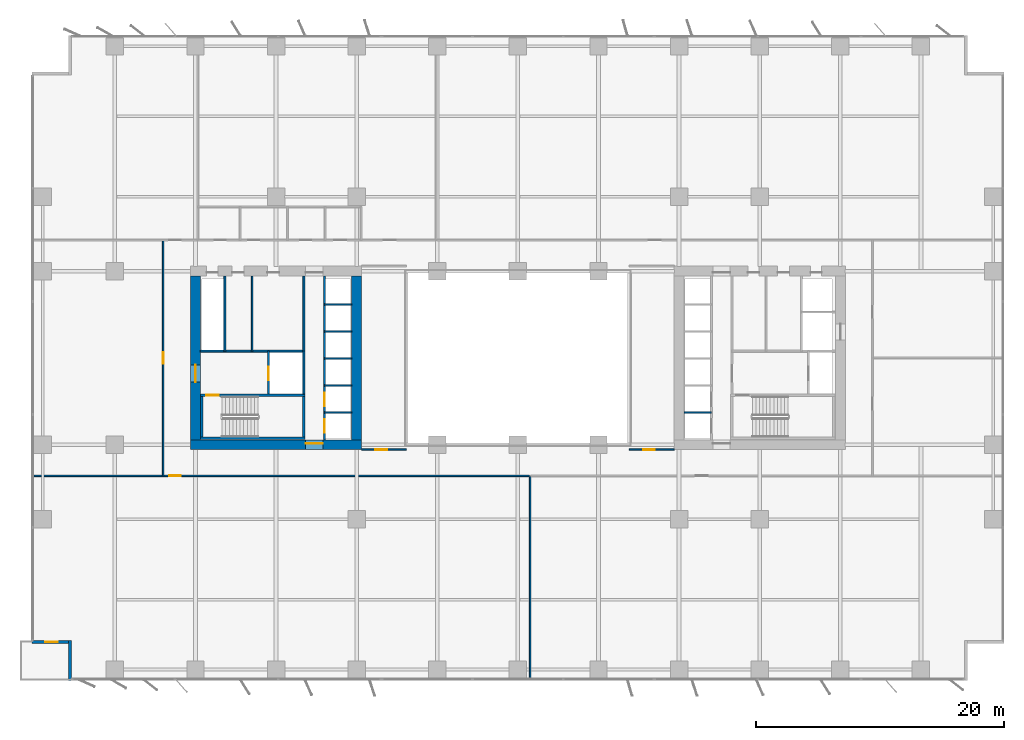
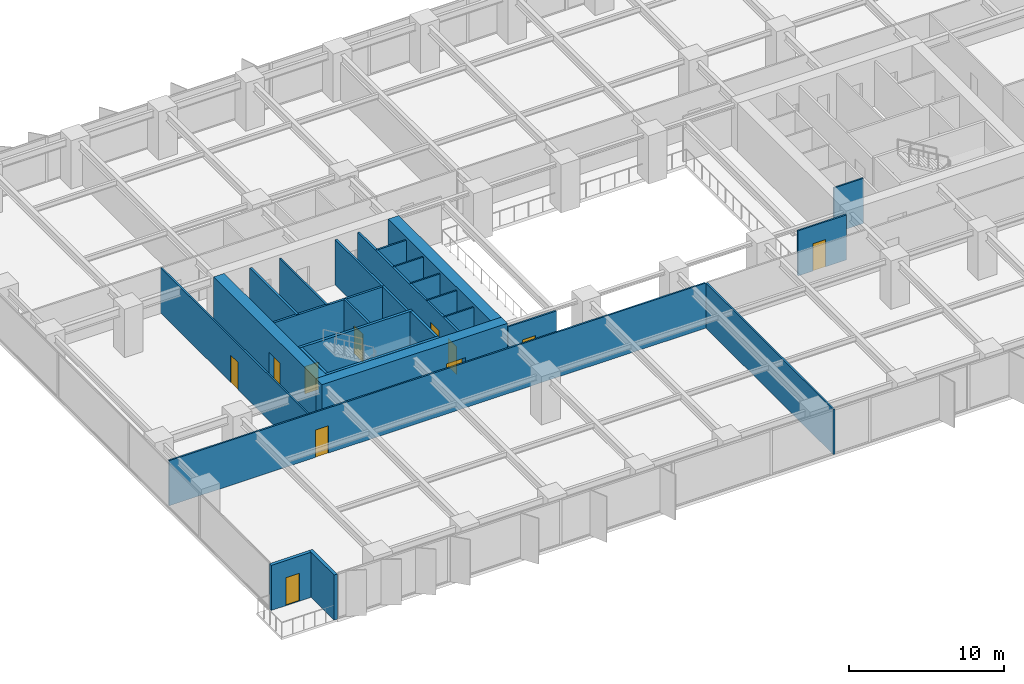
# One storey, part 13 of 20: 27 walls, 11 doors, 11 openings.
"""IFC4 building model written with IfcOpenShell, lengths in metres."""

from ifc_helpers import new_model, si_unit, direction, frame, frame_2d, origin, place, context, subcontext, project, spatial, rectangle, extrude, material, layer, layer_set, type_object, element, fill, save


model = new_model("IFC4")

# Units and contexts
model_context = context("Model", 3, precision=1e-05, world=origin(), true_north=direction((0.0, 1.0)))
body_context = subcontext(model_context, "Body", "Model", "MODEL_VIEW")
ifc_project = project(units=[si_unit("LENGTHUNIT", "METRE"), si_unit("AREAUNIT", "SQUARE_METRE"), si_unit("VOLUMEUNIT", "CUBIC_METRE"), si_unit("PLANEANGLEUNIT", "RADIAN"), si_unit("MASSUNIT", "GRAM", prefix="KILO")], contexts=[model_context])

# Site, building, storey
site_placement = place(None, origin())
site = spatial("IfcSite", under=ifc_project, at=site_placement, CompositionType="ELEMENT")
building_placement = place(site_placement, origin())
building = spatial("IfcBuilding", under=site, at=building_placement, Name="Putna Gate Headquarters", CompositionType="ELEMENT")
storey_placement = place(building_placement, frame((0.0, 0.0, 31.60009765625)))
storey = spatial("IfcBuildingStorey", under=building, at=storey_placement, Name="L06", CompositionType="ELEMENT", Elevation=31.60009765625)

# Wall, opening, door
ifc_material_1 = material(Name="Concrete C60/75", Category="concrete")
ifc_layer_1 = layer(ifc_material_1, 0.800048828125)
ifc_layer_set_1 = layer_set([ifc_layer_1], Name="Concrete C60/75")
wall_type_1 = type_object("IfcWallType", Name="WALL-CORE-800", PredefinedType="SHEAR", material=ifc_layer_set_1)
wall_1_placement = place(storey_placement, frame((12.60009765625, 19.0, 0.0), z_axis=(0.0, 0.0, 1.0), x_axis=(1.0, 0.0, 0.0)))
wall_1 = element("IfcWall", 1, at=wall_1_placement, inside=storey, type_object=wall_type_1, Name="L06 WC Split Core Shear Wall S", PredefinedType="SHEAR", context=body_context, shape_type="SweptSolid", body=[
    extrude(rectangle(XDim=13.7998046875, YDim=0.800048828125, at=frame_2d((6.89990234375, 0.0))), origin(), (0.0, 0.0, 1.0), 3.7998046875),
])
opening_1_placement = place(wall_1_placement, frame((9.280029296875, 0.0, 0.0)))
opening_1 = element("IfcOpeningElement", 2, at=opening_1_placement, cuts=wall_1, Name="Opening FDD-140", PredefinedType="OPENING", context=body_context, shape_type="SweptSolid", body=[
    extrude(rectangle(XDim=1.39990234375, YDim=2.199951171875, at=frame_2d((0.699951171875, 1.10009765625))), frame((0.0, 0.409912109375, 0.0), z_axis=(0.0, -1.0, 0.0), x_axis=(1.0, 0.0, 0.0)), (0.0, 0.0, 1.0), 0.820068359375),
])
ifc_material_2 = material(Name="Double steel fire door", Category="steel")
door_type_1 = type_object("IfcDoorType", Name="DOOR-FIRE-DBL-1400", OperationType="DOUBLE_DOOR_SINGLE_SWING", PredefinedType="DOOR", material=ifc_material_2)
door_1_placement = place(opening_1_placement, origin())
door_1 = element("IfcDoor", 3, at=door_1_placement, inside=storey, type_object=door_type_1, Name="L06 West Lift Lobby South Door", OperationType="DOUBLE_DOOR_SINGLE_SWING", OverallHeight=2.199951171875, OverallWidth=1.39990234375, PredefinedType="DOOR", context=body_context, shape_type="SweptSolid", body=[
    extrude(rectangle(XDim=1.39990234375, YDim=2.199951171875, at=frame_2d((0.699951171875, 1.10009765625))), frame((0.0, 0.125, 0.0), z_axis=(0.0, -1.0, 0.0), x_axis=(1.0, 0.0, 0.0)), (0.0, 0.0, 1.0), 0.050048828125),
])
fill(opening_1, door_1)

wall_2_placement = place(storey_placement, frame((13.0, 19.39990234375, 0.0), z_axis=(0.0, 0.0, 1.0), x_axis=(0.0, 1.0, 0.0)))
wall_2 = element("IfcWall", 4, at=wall_2_placement, inside=storey, type_object=wall_type_1, Name="L06 WC Split Core Shear Wall W", PredefinedType="SHEAR", context=body_context, shape_type="SweptSolid", body=[
    extrude(rectangle(XDim=13.2001953125, YDim=0.800048828125, at=frame_2d((6.60009765625, 0.0))), origin(), (0.0, 0.0, 1.0), 3.7998046875),
])
opening_2_placement = place(wall_2_placement, frame((4.64990234375, 0.0, 0.0)))
opening_2 = element("IfcOpeningElement", 5, at=opening_2_placement, cuts=wall_2, Name="Opening FDD-140", PredefinedType="OPENING", context=body_context, shape_type="SweptSolid", body=[
    extrude(rectangle(XDim=1.39990234375, YDim=2.199951171875, at=frame_2d((0.699951171875, 1.10009765625))), frame((0.0, 0.409912109375, 0.0), z_axis=(0.0, -1.0, 0.0), x_axis=(1.0, 0.0, 0.0)), (0.0, 0.0, 1.0), 0.820068359375),
])
door_2_placement = place(opening_2_placement, origin())
door_2 = element("IfcDoor", 6, at=door_2_placement, inside=storey, type_object=door_type_1, Name="L06 West Firefighting Lobby Door", OperationType="DOUBLE_DOOR_SINGLE_SWING", OverallHeight=2.199951171875, OverallWidth=1.39990234375, PredefinedType="DOOR", context=body_context, shape_type="SweptSolid", body=[
    extrude(rectangle(XDim=1.39990234375, YDim=2.199951171875, at=frame_2d((0.699951171875, 1.10009765625))), frame((0.0, 0.02490234375, 0.0), z_axis=(0.0, -1.0, 0.0), x_axis=(1.0, 0.0, 0.0)), (0.0, 0.0, 1.0), 0.050048828125),
])
fill(opening_2, door_2)

# Walls
wall_3_placement = place(storey_placement, frame((26.0, 19.39990234375, 0.0), z_axis=(0.0, 0.0, 1.0), x_axis=(0.0, 1.0, 0.0)))
element("IfcWall", 7, at=wall_3_placement, inside=storey, type_object=wall_type_1, Name="L06 WC Split Core Shear Wall E", PredefinedType="SHEAR", context=body_context, shape_type="SweptSolid", body=[
    extrude(rectangle(XDim=13.2001953125, YDim=0.800048828125, at=frame_2d((6.60009765625, 0.0))), origin(), (0.0, 0.0, 1.0), 3.7998046875),
])
ifc_material_3 = material(Name="Precast concrete C40/50", Category="concrete")
ifc_layer_2 = layer(ifc_material_3, 0.239990234375)
ifc_layer_set_2 = layer_set([ifc_layer_2], Name="Precast concrete C40/50")
wall_type_2 = type_object("IfcWallType", Name="WALL-EXT-TERR-240", PredefinedType="STANDARD", material=ifc_layer_set_2)
wall_4_placement = place(storey_placement, frame((2.8798828125, 0.0, 0.0), z_axis=(0.0, 0.0, 1.0), x_axis=(0.0, 1.0, 0.0)))
element("IfcWall", 8, at=wall_4_placement, inside=storey, type_object=wall_type_2, Name="L06 Corner Notch Return Wall SW-V", PredefinedType="STANDARD", context=body_context, shape_type="SweptSolid", body=[
    extrude(rectangle(XDim=3.199951171875, YDim=0.239990234375, at=frame_2d((1.60009765625, 0.0))), origin(), (0.0, 0.0, 1.0), 3.5498046875),
])

# Wall, opening, door
wall_5_placement = place(storey_placement, frame((3.0, 3.080078125, 0.0), z_axis=(0.0, 0.0, 1.0), x_axis=(-1.0, 0.0, 0.0)))
wall_5 = element("IfcWall", 9, at=wall_5_placement, inside=storey, type_object=wall_type_2, Name="L06 Corner Notch Return Wall SW-H", PredefinedType="STANDARD", context=body_context, shape_type="SweptSolid", body=[
    extrude(rectangle(XDim=3.199951171875, YDim=0.239990234375, at=frame_2d((1.60009765625, 0.0))), origin(), (0.0, 0.0, 1.0), 3.5498046875),
])
opening_3_placement = place(wall_5_placement, frame((1.10009765625, 0.0, 0.0)))
opening_3 = element("IfcOpeningElement", 10, at=opening_3_placement, cuts=wall_5, Name="Opening TRD-1", PredefinedType="OPENING", context=body_context, shape_type="SweptSolid", body=[
    extrude(rectangle(XDim=1.0, YDim=2.199951171875, at=frame_2d((0.5, 1.10009765625))), frame((0.0, 0.1298828125, 0.0), z_axis=(0.0, -1.0, 0.0), x_axis=(1.0, 0.0, 0.0)), (0.0, 0.0, 1.0), 0.260009765625),
])
ifc_material_4 = material(Name="Thermally broken bronze glazed terrace door")
door_type_2 = type_object("IfcDoorType", Name="DOOR-TERR-EXT-1000", OperationType="NOTDEFINED", PredefinedType="DOOR", material=ifc_material_4)
door_3_placement = place(opening_3_placement, origin())
door_3 = element("IfcDoor", 11, at=door_3_placement, inside=storey, type_object=door_type_2, Name="L06 Spiral Sky Terrace Door SW", OperationType="SINGLE_SWING_LEFT", OverallHeight=2.199951171875, OverallWidth=1.0, PredefinedType="DOOR", context=body_context, shape_type="SweptSolid", body=[
    extrude(rectangle(XDim=1.0, YDim=2.199951171875, at=frame_2d((0.5, 1.10009765625))), frame((0.0, 0.02490234375, 0.0), z_axis=(0.0, -1.0, 0.0), x_axis=(1.0, 0.0, 0.0)), (0.0, 0.0, 1.0), 0.050048828125),
])
fill(opening_3, door_3)

ifc_material_5 = material(Name="Acoustic gypsum board on metal stud")
ifc_layer_3 = layer(ifc_material_5, 0.1201171875)
ifc_layer_set_3 = layer_set([ifc_layer_3], Name="Acoustic gypsum board on metal stud")
wall_type_3 = type_object("IfcWallType", Name="WALL-PART-120", PredefinedType="PARTITIONING", material=ifc_layer_set_3)
wall_6_placement = place(storey_placement, frame((26.39990234375, 18.60009765625, 0.0), z_axis=(0.0, 0.0, 1.0), x_axis=(1.0, 0.0, 0.0)))
wall_6 = element("IfcWall", 12, at=wall_6_placement, inside=storey, type_object=wall_type_3, Name="L06 Interior Wall PART-L06-ATR-W-S", PredefinedType="PARTITIONING", context=body_context, shape_type="SweptSolid", body=[
    extrude(rectangle(XDim=3.60009765625, YDim=0.1201171875, at=frame_2d((1.800048828125, 0.0))), origin(), (0.0, 0.0, 1.0), 3.5498046875),
])
opening_4_placement = place(wall_6_placement, frame((1.10009765625, 0.0, 0.0)))
opening_4 = element("IfcOpeningElement", 13, at=opening_4_placement, cuts=wall_6, Name="Opening ID-95", PredefinedType="OPENING", context=body_context, shape_type="SweptSolid", body=[
    extrude(rectangle(XDim=0.949951171875, YDim=2.14990234375, at=frame_2d((0.47509765625, 1.074951171875))), frame((0.0, 0.070068359375, 0.0), z_axis=(0.0, -1.0, 0.0), x_axis=(1.0, 0.0, 0.0)), (0.0, 0.0, 1.0), 0.14013671875),
])
ifc_material_6 = material(Name="Veneered acoustic timber door", Category="wood")
door_type_3 = type_object("IfcDoorType", Name="DOOR-OFF-950", OperationType="NOTDEFINED", PredefinedType="DOOR", material=ifc_material_6)
door_4_placement = place(opening_4_placement, origin())
door_4 = element("IfcDoor", 14, at=door_4_placement, inside=storey, type_object=door_type_3, Name="L06 West Atrium Gallery Lounge Door", OperationType="SINGLE_SWING_LEFT", OverallHeight=2.14990234375, OverallWidth=0.949951171875, PredefinedType="DOOR", context=body_context, shape_type="SweptSolid", body=[
    extrude(rectangle(XDim=0.949951171875, YDim=2.14990234375, at=frame_2d((0.47509765625, 1.074951171875))), frame((0.0, 0.02490234375, 0.0), z_axis=(0.0, -1.0, 0.0), x_axis=(1.0, 0.0, 0.0)), (0.0, 0.0, 1.0), 0.050048828125),
])
fill(opening_4, door_4)

wall_7_placement = place(storey_placement, frame((48.0, 18.60009765625, 0.0), z_axis=(0.0, 0.0, 1.0), x_axis=(1.0, 0.0, 0.0)))
wall_7 = element("IfcWall", 15, at=wall_7_placement, inside=storey, type_object=wall_type_3, Name="L06 Interior Wall PART-L06-ATR-E-S", PredefinedType="PARTITIONING", context=body_context, shape_type="SweptSolid", body=[
    extrude(rectangle(XDim=3.60009765625, YDim=0.1201171875, at=frame_2d((1.800048828125, 0.0))), origin(), (0.0, 0.0, 1.0), 3.5498046875),
])
opening_5_placement = place(wall_7_placement, frame((1.10009765625, 0.0, 0.0)))
opening_5 = element("IfcOpeningElement", 16, at=opening_5_placement, cuts=wall_7, Name="Opening ID-95", PredefinedType="OPENING", context=body_context, shape_type="SweptSolid", body=[
    extrude(rectangle(XDim=0.949951171875, YDim=2.14990234375, at=frame_2d((0.47509765625, 1.074951171875))), frame((0.0, 0.070068359375, 0.0), z_axis=(0.0, -1.0, 0.0), x_axis=(1.0, 0.0, 0.0)), (0.0, 0.0, 1.0), 0.14013671875),
])
door_5_placement = place(opening_5_placement, origin())
door_5 = element("IfcDoor", 17, at=door_5_placement, inside=storey, type_object=door_type_3, Name="L06 East Atrium Gallery Lounge Door", OperationType="SINGLE_SWING_RIGHT", OverallHeight=2.14990234375, OverallWidth=0.949951171875, PredefinedType="DOOR", context=body_context, shape_type="SweptSolid", body=[
    extrude(rectangle(XDim=0.949951171875, YDim=2.14990234375, at=frame_2d((0.47509765625, 1.074951171875))), frame((0.0, 0.02490234375, 0.0), z_axis=(0.0, -1.0, 0.0), x_axis=(1.0, 0.0, 0.0)), (0.0, 0.0, 1.0), 0.050048828125),
])
fill(opening_5, door_5)

# Walls
wall_8_placement = place(storey_placement, frame((39.9833984375, 0.02001953125, 0.0), z_axis=(0.0, 0.0, 1.0), x_axis=(0.0, 1.0, 0.0)))
element("IfcWall", 18, at=wall_8_placement, inside=storey, type_object=wall_type_3, Name="L06 Interior Wall PART-L06-SB-DIV-01", PredefinedType="PARTITIONING", context=body_context, shape_type="SweptSolid", body=[
    extrude(rectangle(XDim=16.419921875, YDim=0.1201171875, at=frame_2d((8.2099609375, 0.0))), origin(), (0.0, 0.0, 1.0), 3.5498046875),
])
ifc_material_7 = material(Name="Fire-rated shaftwall gypsum board on metal stud")
ifc_layer_4 = layer(ifc_material_7, 0.1201171875)
ifc_layer_set_4 = layer_set([ifc_layer_4], Name="Fire-rated shaftwall gypsum board on metal stud")
wall_type_4 = type_object("IfcWallType", Name="WALL-PART-120-EI120", PredefinedType="PARTITIONING", material=ifc_layer_set_4)
for number, where, z_axis, x_axis, name in (
    (19, (23.39990234375, 21.610107421875, 0.0), (0.0, 0.0, 1.0), (1.0, 0.0, 0.0), "L06 Interior Wall CWINT-L06-WC-LF01-DIV"),
    (20, (23.39990234375, 23.780029296875, 0.0), (0.0, 0.0, 1.0), (1.0, 0.0, 0.0), "L06 Interior Wall CWINT-L06-WC-LF02-DIV"),
    (21, (23.39990234375, 25.949951171875, 0.0), (0.0, 0.0, 1.0), (1.0, 0.0, 0.0), "L06 Interior Wall CWINT-L06-WC-LF05-DIV"),
    (22, (23.39990234375, 28.1201171875, 0.0), (0.0, 0.0, 1.0), (1.0, 0.0, 0.0), "L06 Interior Wall CWINT-L06-WC-LF06-DIV"),
    (23, (23.39990234375, 30.31005859375, 0.0), (0.0, 0.0, 1.0), (1.0, 0.0, 0.0), "L06 Interior Wall CWINT-L06-WC-LF09-DIV"),
    (24, (52.39990234375, 21.610107421875, 0.0), (0.0, 0.0, 1.0), (1.0, 0.0, 0.0), "L06 Interior Wall CWINT-L06-EC-LF03-DIV"),
):
    element("IfcWall", number, at=place(storey_placement, frame(where, z_axis=z_axis, x_axis=x_axis)), inside=storey, type_object=wall_type_4, Name=name, PredefinedType="PARTITIONING", context=body_context, shape_type="SweptSolid", body=[
        extrude(rectangle(XDim=2.2001953125, YDim=0.1201171875, at=frame_2d((1.10009765625, 0.0))), origin(), (0.0, 0.0, 1.0), 3.5498046875),
    ])
ifc_material_8 = material(Name="Fire-rated gypsum board on metal stud")
ifc_layer_5 = layer(ifc_material_8, 0.1201171875)
ifc_layer_set_5 = layer_set([ifc_layer_5], Name="Fire-rated gypsum board on metal stud")
wall_type_5 = type_object("IfcWallType", Name="WALL-PART-120-RATED", PredefinedType="PARTITIONING", material=ifc_layer_set_5)
wall_9_placement = place(storey_placement, frame((17.570068359375, 26.56005859375, 0.0), z_axis=(0.0, 0.0, 1.0), x_axis=(0.0, 1.0, 0.0)))
element("IfcWall", 25, at=wall_9_placement, inside=storey, type_object=wall_type_5, Name="L06 Interior Wall CWINT-L06-WC-K1-DIV", PredefinedType="PARTITIONING", context=body_context, shape_type="SweptSolid", body=[
    extrude(rectangle(XDim=6.0400390625, YDim=0.1201171875, at=frame_2d((3.02001953125, 0.0))), origin(), (0.0, 0.0, 1.0), 3.5498046875),
])

# Wall, opening, door
wall_10_placement = place(storey_placement, frame((-0.02001953125, 16.5, 0.0), z_axis=(0.0, 0.0, 1.0), x_axis=(1.0, 0.0, 0.0)))
wall_10 = element("IfcWall", 26, at=wall_10_placement, inside=storey, type_object=wall_type_5, Name="L06 Interior Wall PART-L06-SB-CW-01", PredefinedType="PARTITIONING", context=body_context, shape_type="SweptSolid", body=[
    extrude(rectangle(XDim=39.943359375, YDim=0.1201171875, at=frame_2d((19.9716796875, 0.0))), origin(), (0.0, 0.0, 1.0), 3.5498046875),
])
opening_6_placement = place(wall_10_placement, frame((10.89990234375, 0.0, 0.0)))
opening_6 = element("IfcOpeningElement", 27, at=opening_6_placement, cuts=wall_10, Name="Opening FD-95", PredefinedType="OPENING", context=body_context, shape_type="SweptSolid", body=[
    extrude(rectangle(XDim=0.949951171875, YDim=2.14990234375, at=frame_2d((0.47509765625, 1.074951171875))), frame((0.0, 0.070068359375, 0.0), z_axis=(0.0, -1.0, 0.0), x_axis=(1.0, 0.0, 0.0)), (0.0, 0.0, 1.0), 0.14013671875),
])
ifc_material_9 = material(Name="Acoustic timber fire door", Category="wood")
door_type_4 = type_object("IfcDoorType", Name="DOOR-FIRE-950", OperationType="NOTDEFINED", PredefinedType="DOOR", material=ifc_material_9)
door_6_placement = place(opening_6_placement, origin())
door_6 = element("IfcDoor", 28, at=door_6_placement, inside=storey, type_object=door_type_4, Name="L06 Quiet Wellness Focus Studio 1 Door", OperationType="SINGLE_SWING_RIGHT", OverallHeight=2.14990234375, OverallWidth=0.949951171875, PredefinedType="DOOR", context=body_context, shape_type="SweptSolid", body=[
    extrude(rectangle(XDim=0.949951171875, YDim=2.14990234375, at=frame_2d((0.47509765625, 1.074951171875))), frame((0.0, 0.02490234375, 0.0), z_axis=(0.0, -1.0, 0.0), x_axis=(1.0, 0.0, 0.0)), (0.0, 0.0, 1.0), 0.050048828125),
])
fill(opening_6, door_6)

wall_11_placement = place(storey_placement, frame((10.39990234375, 16.5, 0.0), z_axis=(0.0, 0.0, 1.0), x_axis=(0.0, 1.0, 0.0)))
wall_11 = element("IfcWall", 29, at=wall_11_placement, inside=storey, type_object=wall_type_5, Name="L06 Interior Wall PART-L06-WW-CW-1", PredefinedType="PARTITIONING", context=body_context, shape_type="SweptSolid", body=[
    extrude(rectangle(XDim=19.0, YDim=0.1201171875, at=frame_2d((9.5, 0.0))), origin(), (0.0, 0.0, 1.0), 3.5498046875),
])
opening_7_placement = place(wall_11_placement, frame((9.02490234375, 0.0, 0.0)))
opening_7 = element("IfcOpeningElement", 30, at=opening_7_placement, cuts=wall_11, Name="Opening FD-95", PredefinedType="OPENING", context=body_context, shape_type="SweptSolid", body=[
    extrude(rectangle(XDim=0.949951171875, YDim=2.14990234375, at=frame_2d((0.47509765625, 1.074951171875))), frame((0.0, 0.070068359375, 0.0), z_axis=(0.0, -1.0, 0.0), x_axis=(1.0, 0.0, 0.0)), (0.0, 0.0, 1.0), 0.14013671875),
])
door_7_placement = place(opening_7_placement, origin())
door_7 = element("IfcDoor", 31, at=door_7_placement, inside=storey, type_object=door_type_4, Name="L06 West Project Meeting Room 1 Door", OperationType="SINGLE_SWING_RIGHT", OverallHeight=2.14990234375, OverallWidth=0.949951171875, PredefinedType="DOOR", context=body_context, shape_type="SweptSolid", body=[
    extrude(rectangle(XDim=0.949951171875, YDim=2.14990234375, at=frame_2d((0.47509765625, 1.074951171875))), frame((0.0, 0.02490234375, 0.0), z_axis=(0.0, -1.0, 0.0), x_axis=(1.0, 0.0, 0.0)), (0.0, 0.0, 1.0), 0.050048828125),
])
fill(opening_7, door_7)

# Wall
ifc_material_10 = material(Name="Concrete C40/50", Category="concrete")
ifc_layer_6 = layer(ifc_material_10, 0.159912109375)
ifc_layer_set_6 = layer_set([ifc_layer_6], Name="Concrete C40/50")
wall_type_6 = type_object("IfcWallType", Name="WALL-SHAFT-160", PredefinedType="STANDARD", material=ifc_layer_set_6)
wall_12_placement = place(storey_placement, frame((21.739990234375, 23.090087890625, 0.0), z_axis=(0.0, 0.0, 1.0), x_axis=(0.0, 1.0, 0.0)))
element("IfcWall", 32, at=wall_12_placement, inside=storey, type_object=wall_type_6, Name="L06 Interior Wall CWINT-L06-WC-FFL-E", PredefinedType="STANDARD", context=body_context, shape_type="SweptSolid", body=[
    extrude(rectangle(XDim=3.469970703125, YDim=0.159912109375, at=frame_2d((1.73486328125, 0.0))), origin(), (0.0, 0.0, 1.0), 3.5498046875),
])

# Wall, opening, door
wall_13_placement = place(storey_placement, frame((18.8798828125, 23.090087890625, 0.0), z_axis=(0.0, 0.0, 1.0), x_axis=(0.0, 1.0, 0.0)))
wall_13 = element("IfcWall", 33, at=wall_13_placement, inside=storey, type_object=wall_type_6, Name="L06 Interior Wall CWINT-L06-WC-LF13-W", PredefinedType="STANDARD", context=body_context, shape_type="SweptSolid", body=[
    extrude(rectangle(XDim=3.469970703125, YDim=0.159912109375, at=frame_2d((1.73486328125, 0.0))), origin(), (0.0, 0.0, 1.0), 3.5498046875),
])
opening_8_placement = place(wall_13_placement, frame((1.10009765625, 0.0, 0.0)))
opening_8 = element("IfcOpeningElement", 34, at=opening_8_placement, cuts=wall_13, Name="Opening LD-1", PredefinedType="OPENING", context=body_context, shape_type="SweptSolid", body=[
    extrude(rectangle(XDim=1.10009765625, YDim=2.199951171875, at=frame_2d((0.550048828125, 1.10009765625))), frame((0.0, 0.08984375, 0.0), z_axis=(0.0, -1.0, 0.0), x_axis=(1.0, 0.0, 0.0)), (0.0, 0.0, 1.0), 0.179931640625),
])
ifc_material_11 = material(Name="Brushed bronze stainless lift landing door")
door_type_5 = type_object("IfcDoorType", Name="DOOR-LIFT-1100", OperationType="DOUBLE_DOOR_SLIDING", PredefinedType="DOOR", material=ifc_material_11)
door_8_placement = place(opening_8_placement, origin())
door_8 = element("IfcDoor", 35, at=door_8_placement, inside=storey, type_object=door_type_5, Name="L06 Lift Landing Door LD-13", OperationType="DOUBLE_DOOR_SLIDING", OverallHeight=2.199951171875, OverallWidth=1.10009765625, PredefinedType="DOOR", context=body_context, shape_type="SweptSolid", body=[
    extrude(rectangle(XDim=1.10009765625, YDim=2.199951171875, at=frame_2d((0.550048828125, 1.10009765625))), frame((0.0, 0.02490234375, 0.0), z_axis=(0.0, -1.0, 0.0), x_axis=(1.0, 0.0, 0.0)), (0.0, 0.0, 1.0), 0.050048828125),
])
fill(opening_8, door_8)

# Walls
wall_14_placement = place(storey_placement, frame((13.39990234375, 26.56005859375, 0.0), z_axis=(0.0, 0.0, 1.0), x_axis=(1.0, 0.0, 0.0)))
element("IfcWall", 36, at=wall_14_placement, inside=storey, type_object=wall_type_6, Name="L06 Interior Wall CWINT-L06-WC-FFL-N", PredefinedType="STANDARD", context=body_context, shape_type="SweptSolid", body=[
    extrude(rectangle(XDim=8.340087890625, YDim=0.159912109375, at=frame_2d((4.169921875, 0.0))), origin(), (0.0, 0.0, 1.0), 3.5498046875),
])
for number, where, z_axis, x_axis, name in (
    (37, (15.3798828125, 26.56005859375, 0.0), (0.0, 0.0, 1.0), (0.0, 1.0, 0.0), "L06 Interior Wall CWINT-L06-WC-RISER-E"),
    (38, (21.739990234375, 26.56005859375, 0.0), (0.0, 0.0, 1.0), (0.0, 1.0, 0.0), "L06 Interior Wall CWINT-L06-WC-LOB-W"),
):
    element("IfcWall", number, at=place(storey_placement, frame(where, z_axis=z_axis, x_axis=x_axis)), inside=storey, type_object=wall_type_6, Name=name, PredefinedType="STANDARD", context=body_context, shape_type="SweptSolid", body=[
        extrude(rectangle(XDim=6.0400390625, YDim=0.159912109375, at=frame_2d((3.02001953125, 0.0))), origin(), (0.0, 0.0, 1.0), 3.5498046875),
    ])

# Wall, openings, doors
wall_15_placement = place(storey_placement, frame((23.39990234375, 19.39990234375, 0.0), z_axis=(0.0, 0.0, 1.0), x_axis=(0.0, 1.0, 0.0)))
wall_15 = element("IfcWall", 39, at=wall_15_placement, inside=storey, type_object=wall_type_6, Name="L06 Interior Wall CWINT-L06-WC-PL-WALL", PredefinedType="STANDARD", context=body_context, shape_type="SweptSolid", body=[
    extrude(rectangle(XDim=13.2001953125, YDim=0.159912109375, at=frame_2d((6.60009765625, 0.0))), origin(), (0.0, 0.0, 1.0), 3.5498046875),
])
opening_9_placement = place(wall_15_placement, frame((0.550048828125, 0.0, 0.0)))
opening_9 = element("IfcOpeningElement", 40, at=opening_9_placement, cuts=wall_15, Name="Opening LD-1", PredefinedType="OPENING", context=body_context, shape_type="SweptSolid", body=[
    extrude(rectangle(XDim=1.10009765625, YDim=2.199951171875, at=frame_2d((0.550048828125, 1.10009765625))), frame((0.0, 0.08984375, 0.0), z_axis=(0.0, -1.0, 0.0), x_axis=(1.0, 0.0, 0.0)), (0.0, 0.0, 1.0), 0.179931640625),
])
opening_10_placement = place(wall_15_placement, frame((2.699951171875, 0.0, 0.0)))
opening_10 = element("IfcOpeningElement", 41, at=opening_10_placement, cuts=wall_15, Name="Opening LD-1", PredefinedType="OPENING", context=body_context, shape_type="SweptSolid", body=[
    extrude(rectangle(XDim=1.10009765625, YDim=2.199951171875, at=frame_2d((0.550048828125, 1.10009765625))), frame((0.0, 0.08984375, 0.0), z_axis=(0.0, -1.0, 0.0), x_axis=(1.0, 0.0, 0.0)), (0.0, 0.0, 1.0), 0.179931640625),
])
door_9_placement = place(opening_9_placement, origin())
door_9 = element("IfcDoor", 42, at=door_9_placement, inside=storey, type_object=door_type_5, Name="L06 Lift Landing Door LD-01", OperationType="DOUBLE_DOOR_SLIDING", OverallHeight=2.199951171875, OverallWidth=1.10009765625, PredefinedType="DOOR", context=body_context, shape_type="SweptSolid", body=[
    extrude(rectangle(XDim=1.10009765625, YDim=2.199951171875, at=frame_2d((0.550048828125, 1.10009765625))), frame((0.0, 0.02490234375, 0.0), z_axis=(0.0, -1.0, 0.0), x_axis=(1.0, 0.0, 0.0)), (0.0, 0.0, 1.0), 0.050048828125),
])
fill(opening_9, door_9)
door_10_placement = place(opening_10_placement, origin())
door_10 = element("IfcDoor", 43, at=door_10_placement, inside=storey, type_object=door_type_5, Name="L06 Lift Landing Door LD-02", OperationType="DOUBLE_DOOR_SLIDING", OverallHeight=2.199951171875, OverallWidth=1.10009765625, PredefinedType="DOOR", context=body_context, shape_type="SweptSolid", body=[
    extrude(rectangle(XDim=1.10009765625, YDim=2.199951171875, at=frame_2d((0.550048828125, 1.10009765625))), frame((0.0, 0.02490234375, 0.0), z_axis=(0.0, -1.0, 0.0), x_axis=(1.0, 0.0, 0.0)), (0.0, 0.0, 1.0), 0.050048828125),
])
fill(opening_10, door_10)

# Wall
ifc_layer_7 = layer(ifc_material_10, 0.199951171875)
ifc_layer_set_7 = layer_set([ifc_layer_7], Name="Concrete C40/50")
wall_type_7 = type_object("IfcWallType", Name="WALL-SHAFT-RC200", PredefinedType="SHEAR", material=ifc_layer_set_7)
wall_16_placement = place(storey_placement, frame((13.409912109375, 19.510009765625, 0.0), z_axis=(0.0, 0.0, 1.0), x_axis=(1.0, 0.0, 0.0)))
element("IfcWall", 44, at=wall_16_placement, inside=storey, type_object=wall_type_7, Name="L06 Stair ST1 Structural Shaft Wall S", PredefinedType="SHEAR", context=body_context, shape_type="SweptSolid", body=[
    extrude(rectangle(XDim=8.43017578125, YDim=0.199951171875, at=frame_2d((4.215087890625, 0.0))), origin(), (0.0, 0.0, 1.0), 3.7998046875),
])

# Wall, opening, door
wall_17_placement = place(storey_placement, frame((13.409912109375, 22.989990234375, 0.0), z_axis=(0.0, 0.0, 1.0), x_axis=(1.0, 0.0, 0.0)))
wall_17 = element("IfcWall", 45, at=wall_17_placement, inside=storey, type_object=wall_type_7, Name="L06 Stair ST1 Structural Shaft Wall N", PredefinedType="SHEAR", context=body_context, shape_type="SweptSolid", body=[
    extrude(rectangle(XDim=8.43017578125, YDim=0.199951171875, at=frame_2d((4.215087890625, 0.0))), origin(), (0.0, 0.0, 1.0), 3.7998046875),
])
opening_11_placement = place(wall_17_placement, frame((0.449951171875, 0.0, 0.0)))
opening_11 = element("IfcOpeningElement", 46, at=opening_11_placement, cuts=wall_17, Name="Opening FD-100", PredefinedType="OPENING", context=body_context, shape_type="SweptSolid", body=[
    extrude(rectangle(XDim=1.0, YDim=2.14990234375, at=frame_2d((0.5, 1.074951171875))), frame((0.0, 0.10986328125, 0.0), z_axis=(0.0, -1.0, 0.0), x_axis=(1.0, 0.0, 0.0)), (0.0, 0.0, 1.0), 0.219970703125),
])
ifc_material_12 = material(Name="Powder-coated steel fire door", Category="steel")
door_type_6 = type_object("IfcDoorType", Name="DOOR-FIRE-1000", OperationType="NOTDEFINED", PredefinedType="DOOR", material=ifc_material_12)
door_11_placement = place(opening_11_placement, origin())
door_11 = element("IfcDoor", 47, at=door_11_placement, inside=storey, type_object=door_type_6, Name="L06 Stair ST1 Fire Door", OperationType="SINGLE_SWING_LEFT", OverallHeight=2.14990234375, OverallWidth=1.0, PredefinedType="DOOR", context=body_context, shape_type="SweptSolid", body=[
    extrude(rectangle(XDim=1.0, YDim=2.14990234375, at=frame_2d((0.5, 1.074951171875))), frame((0.0, 0.02490234375, 0.0), z_axis=(0.0, -1.0, 0.0), x_axis=(1.0, 0.0, 0.0)), (0.0, 0.0, 1.0), 0.050048828125),
])
fill(opening_11, door_11)

# Walls
for number, where, z_axis, x_axis, name in (
    (48, (13.510009765625, 19.610107421875, 0.0), (0.0, 0.0, 1.0), (0.0, 1.0, 0.0), "L06 Stair ST1 Structural Shaft Wall W"),
    (49, (21.739990234375, 19.610107421875, 0.0), (0.0, 0.0, 1.0), (0.0, 1.0, 0.0), "L06 Stair ST1 Structural Shaft Wall E"),
):
    element("IfcWall", number, at=place(storey_placement, frame(where, z_axis=z_axis, x_axis=x_axis)), inside=storey, type_object=wall_type_7, Name=name, PredefinedType="SHEAR", context=body_context, shape_type="SweptSolid", body=[
        extrude(rectangle(XDim=3.27978515625, YDim=0.199951171875, at=frame_2d((1.639892578125, 0.0))), origin(), (0.0, 0.0, 1.0), 3.7998046875),
    ])

save(model, "model.ifc")
